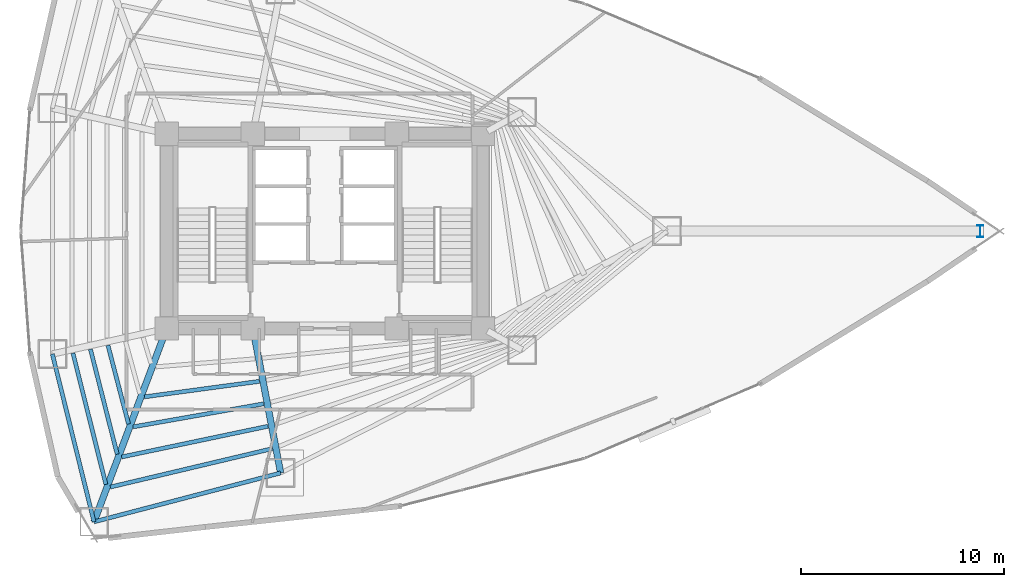
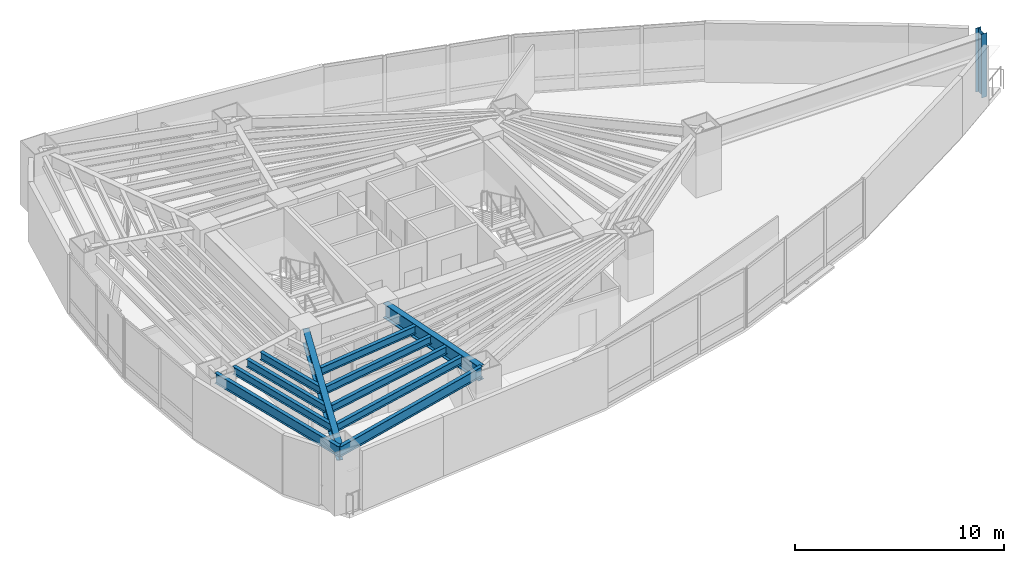
# One storey, part 2 of 20: 11 beams, 1 column.
"""IFC4 building model written with IfcOpenShell, lengths in metres."""

from ifc_helpers import new_model, si_unit, direction, frame, origin, origin_2d, place, context, subcontext, project, spatial, i_section, extrude, material, material_profile, profile_set, type_object, element, save


model = new_model("IFC4")

# Units and contexts
model_context = context("Model", 3, precision=1e-05, world=origin(), true_north=direction((0.0, 1.0)))
body_context = subcontext(model_context, "Body", "Model", "MODEL_VIEW")
ifc_project = project(units=[si_unit("LENGTHUNIT", "METRE"), si_unit("AREAUNIT", "SQUARE_METRE"), si_unit("VOLUMEUNIT", "CUBIC_METRE"), si_unit("PLANEANGLEUNIT", "RADIAN"), si_unit("MASSUNIT", "GRAM", prefix="KILO")], contexts=[model_context])

# Site, building, storey
site_placement = place(None, origin())
site = spatial("IfcSite", under=ifc_project, at=site_placement, CompositionType="ELEMENT")
building_placement = place(site_placement, origin())
building = spatial("IfcBuilding", under=site, at=building_placement, Name="Menara Vayukalpa", CompositionType="ELEMENT")
storey_placement = place(building_placement, frame((0.0, 0.0, 61.080078125)))
storey = spatial("IfcBuildingStorey", under=building, at=storey_placement, Name="L14", CompositionType="ELEMENT", Elevation=61.080078125)

# Column
ifc_material_1 = material(Name="Steel S460", Category="steel")
ifc_material_profile_1 = material_profile(ifc_material_1, i_section(OverallWidth=0.300048828125, OverallDepth=0.587890625, WebThickness=0.011962890625, FlangeThickness=0.02001953125, at=origin_2d()), Name="H 588x300x12x20")
ifc_profile_set_1 = profile_set([ifc_material_profile_1], Name="Steel S460")
column_type = type_object("IfcColumnType", Name="COL-SC1", PredefinedType="COLUMN", material=ifc_profile_set_1)
column_placement = place(storey_placement, frame((57.90771484375, 22.0, 0.0), z_axis=(0.0, 0.0, 1.0), x_axis=(1.0, 0.0, 0.0)))
element("IfcColumn", 1, at=column_placement, inside=storey, type_object=column_type, Name="L14 SB1 Sky Bar Vierendeel Column SB01", PredefinedType="COLUMN", context=body_context, shape_type="SweptSolid", body=[
    extrude(i_section(OverallWidth=0.300048828125, OverallDepth=0.587890625, WebThickness=0.011962890625, FlangeThickness=0.02001953125, at=origin_2d()), origin(), (0.0, 0.0, 1.0), 3.719970703125),
])

# Beams
ifc_material_2 = material(Name="Steel S355", Category="steel")
ifc_material_profile_2 = material_profile(ifc_material_2, i_section(OverallWidth=0.320068359375, OverallDepth=0.85009765625, WebThickness=0.01611328125, FlangeThickness=0.030029296875, at=origin_2d()), Name="WF 850x320x16x30")
ifc_profile_set_2 = profile_set([ifc_material_profile_2], Name="Steel S355")
beam_type_1 = type_object("IfcBeamType", Name="BM-PG2", PredefinedType="BEAM", material=ifc_profile_set_2)
beam_1_placement = place(storey_placement, frame((17.712158203125, 16.966064453125, 3.044921875), z_axis=(-0.351734656537, -0.93609974436, 0.0), x_axis=(0.93609974436, -0.351734656537, 0.0)))
element("IfcBeam", 2, at=beam_1_placement, inside=storey, type_object=beam_type_1, Name="L14 Primary Radial Girder RG07", PredefinedType="BEAM", context=body_context, shape_type="SweptSolid", body=[
    extrude(i_section(OverallWidth=0.320068359375, OverallDepth=0.85009765625, WebThickness=0.01611328125, FlangeThickness=0.030029296875, at=origin_2d()), origin(), (0.0, 0.0, 1.0), 9.935302734375),
])
beam_2_placement = place(storey_placement, frame((22.09716796875, 16.95458984375, 3.044921875), z_axis=(0.188803432672, -0.982014899995, 0.0), x_axis=(0.982014899995, 0.188803432672, 0.0)))
element("IfcBeam", 3, at=beam_2_placement, inside=storey, type_object=beam_type_1, Name="L14 Primary Radial Girder RG08", PredefinedType="BEAM", context=body_context, shape_type="SweptSolid", body=[
    extrude(i_section(OverallWidth=0.320068359375, OverallDepth=0.85009765625, WebThickness=0.01611328125, FlangeThickness=0.030029296875, at=origin_2d()), origin(), (0.0, 0.0, 1.0), 7.00341796875),
])
ifc_material_3 = material(Name="Steel S355", Category="steel")
ifc_material_profile_3 = material_profile(ifc_material_3, i_section(OverallWidth=0.199951171875, OverallDepth=0.449951171875, WebThickness=0.009033203125, FlangeThickness=0.013916015625, at=origin_2d()), Name="WF 450x200x9x14")
ifc_profile_set_3 = profile_set([ifc_material_profile_3], Name="Steel S355")
beam_type_2 = type_object("IfcBeamType", Name="BM-SJ1", PredefinedType="JOIST", material=ifc_profile_set_3)
beam_3_placement = place(storey_placement, frame((14.905517578125, 16.368896484375, 3.244873046875), z_axis=(0.25283833468, -0.967508540798, 0.0), x_axis=(0.967508540798, 0.25283833468, 0.0)))
element("IfcBeam", 4, at=beam_3_placement, inside=storey, type_object=beam_type_2, Name="L14 Secondary Floor Joist SJ06-3", PredefinedType="JOIST", context=body_context, shape_type="SweptSolid", body=[
    extrude(i_section(OverallWidth=0.199951171875, OverallDepth=0.449951171875, WebThickness=0.009033203125, FlangeThickness=0.013916015625, at=origin_2d()), origin(), (0.0, 0.0, 1.0), 4.00927734375),
])
beam_4_placement = place(storey_placement, frame((14.0419921875, 16.17578125, 3.244873046875), z_axis=(0.247105572938, -0.968988563309, 0.0), x_axis=(0.968988563309, 0.247105572938, 0.0)))
element("IfcBeam", 5, at=beam_4_placement, inside=storey, type_object=beam_type_2, Name="L14 Secondary Floor Joist SJ06-4", PredefinedType="JOIST", context=body_context, shape_type="SweptSolid", body=[
    extrude(i_section(OverallWidth=0.199951171875, OverallDepth=0.449951171875, WebThickness=0.009033203125, FlangeThickness=0.013916015625, at=origin_2d()), origin(), (0.0, 0.0, 1.0), 5.339111328125),
])
beam_5_placement = place(storey_placement, frame((13.1787109375, 15.982666015625, 3.244873046875), z_axis=(0.243517460774, -0.96989651319, 0.0), x_axis=(0.96989651319, 0.243517460774, 0.0)))
element("IfcBeam", 6, at=beam_5_placement, inside=storey, type_object=beam_type_2, Name="L14 Secondary Floor Joist SJ06-5", PredefinedType="JOIST", context=body_context, shape_type="SweptSolid", body=[
    extrude(i_section(OverallWidth=0.199951171875, OverallDepth=0.449951171875, WebThickness=0.009033203125, FlangeThickness=0.013916015625, at=origin_2d()), origin(), (0.0, 0.0, 1.0), 6.6689453125),
])
beam_6_placement = place(storey_placement, frame((16.702392578125, 13.827880859375, 3.244873046875), z_axis=(0.991021966654, 0.13369914588, 0.0), x_axis=(-0.13369914588, 0.991021966654, 0.0)))
element("IfcBeam", 7, at=beam_6_placement, inside=storey, type_object=beam_type_2, Name="L14 Secondary Floor Joist SJ07-2", PredefinedType="JOIST", context=body_context, shape_type="SweptSolid", body=[
    extrude(i_section(OverallWidth=0.199951171875, OverallDepth=0.449951171875, WebThickness=0.009033203125, FlangeThickness=0.013916015625, at=origin_2d()), origin(), (0.0, 0.0, 1.0), 5.71728515625),
])
beam_7_placement = place(storey_placement, frame((16.14208984375, 12.34716796875, 3.244873046875), z_axis=(0.984753096925, 0.173957862993, 0.0), x_axis=(-0.173957862993, 0.984753096925, 0.0)))
element("IfcBeam", 8, at=beam_7_placement, inside=storey, type_object=beam_type_2, Name="L14 Secondary Floor Joist SJ07-3", PredefinedType="JOIST", context=body_context, shape_type="SweptSolid", body=[
    extrude(i_section(OverallWidth=0.199951171875, OverallDepth=0.449951171875, WebThickness=0.009033203125, FlangeThickness=0.013916015625, at=origin_2d()), origin(), (0.0, 0.0, 1.0), 6.53857421875),
])
beam_8_placement = place(storey_placement, frame((15.581787109375, 10.86474609375, 3.244873046875), z_axis=(0.978676146728, 0.205409346977, 0.0), x_axis=(-0.205409346977, 0.978676146728, 0.0)))
element("IfcBeam", 9, at=beam_8_placement, inside=storey, type_object=beam_type_2, Name="L14 Secondary Floor Joist SJ07-4", PredefinedType="JOIST", context=body_context, shape_type="SweptSolid", body=[
    extrude(i_section(OverallWidth=0.199951171875, OverallDepth=0.449951171875, WebThickness=0.009033203125, FlangeThickness=0.013916015625, at=origin_2d()), origin(), (0.0, 0.0, 1.0), 7.369140625),
])
beam_9_placement = place(storey_placement, frame((15.021728515625, 9.381103515625, 3.244873046875), z_axis=(0.97303971213, 0.23063763487, 0.0), x_axis=(-0.23063763487, 0.97303971213, 0.0)))
element("IfcBeam", 10, at=beam_9_placement, inside=storey, type_object=beam_type_2, Name="L14 Secondary Floor Joist SJ07-5", PredefinedType="JOIST", context=body_context, shape_type="SweptSolid", body=[
    extrude(i_section(OverallWidth=0.199951171875, OverallDepth=0.449951171875, WebThickness=0.009033203125, FlangeThickness=0.013916015625, at=origin_2d()), origin(), (0.0, 0.0, 1.0), 8.205810546875),
])
ifc_material_4 = material(Name="Steel S355", Category="steel")
ifc_material_profile_4 = material_profile(ifc_material_4, i_section(OverallWidth=0.199951171875, OverallDepth=0.60009765625, WebThickness=0.010986328125, FlangeThickness=0.01708984375, at=origin_2d()), Name="WF 600x200x11x17")
ifc_profile_set_4 = profile_set([ifc_material_profile_4], Name="Steel S355")
beam_type_3 = type_object("IfcBeamType", Name="BM-SP1", PredefinedType="SPANDREL", material=ifc_profile_set_4)
beam_10_placement = place(storey_placement, frame((12.164306640625, 15.9404296875, 3.169921875), z_axis=(0.240823860364, -0.970568837476, 0.0), x_axis=(0.970568837476, 0.240823860364, 0.0)))
element("IfcBeam", 11, at=beam_10_placement, inside=storey, type_object=beam_type_3, Name="L14 Perimeter Spandrel Beam SP06", PredefinedType="SPANDREL", context=body_context, shape_type="SweptSolid", body=[
    extrude(i_section(OverallWidth=0.199951171875, OverallDepth=0.60009765625, WebThickness=0.010986328125, FlangeThickness=0.01708984375, at=origin_2d()), origin(), (0.0, 0.0, 1.0), 8.52587890625),
])
beam_11_placement = place(storey_placement, frame((14.217529296875, 7.66552734375, 3.169921875), z_axis=(0.967331024421, 0.253516644802, 0.0), x_axis=(-0.253516644802, 0.967331024421, 0.0)))
element("IfcBeam", 12, at=beam_11_placement, inside=storey, type_object=beam_type_3, Name="L14 Perimeter Spandrel Beam SP07", PredefinedType="SPANDREL", context=body_context, shape_type="SweptSolid", body=[
    extrude(i_section(OverallWidth=0.199951171875, OverallDepth=0.60009765625, WebThickness=0.010986328125, FlangeThickness=0.01708984375, at=origin_2d()), origin(), (0.0, 0.0, 1.0), 9.5126953125),
])

save(model, "model.ifc")
